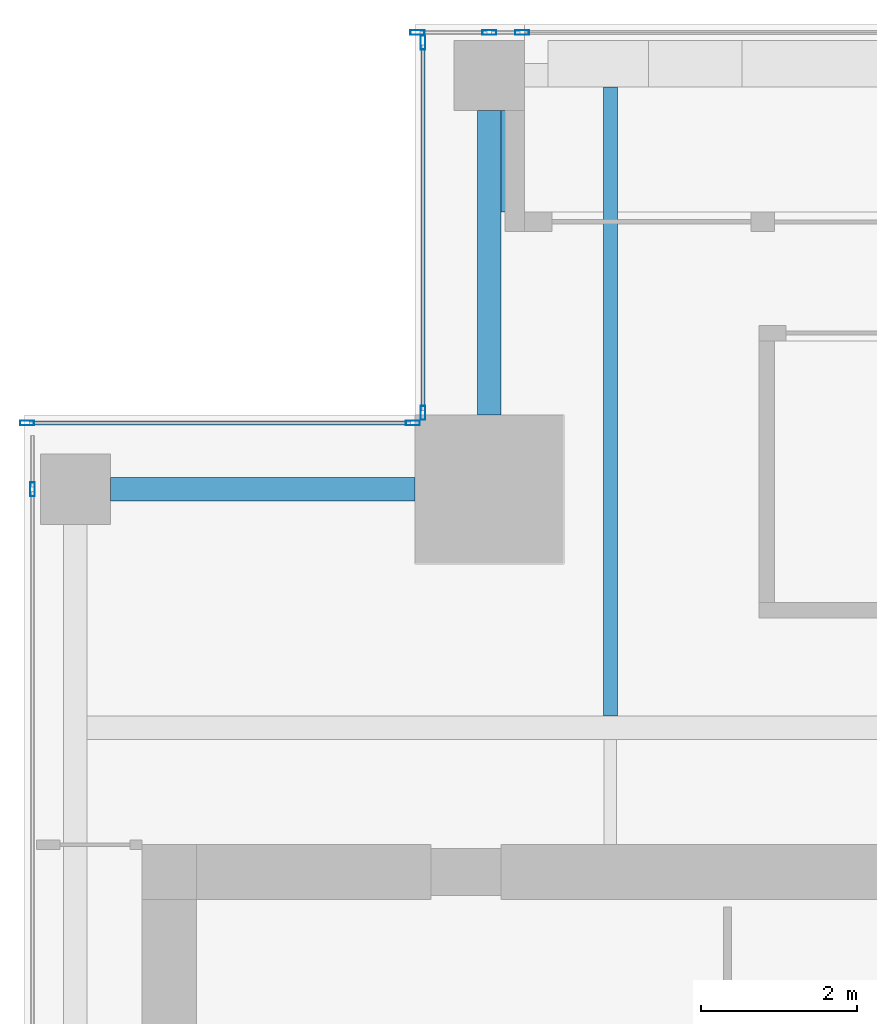
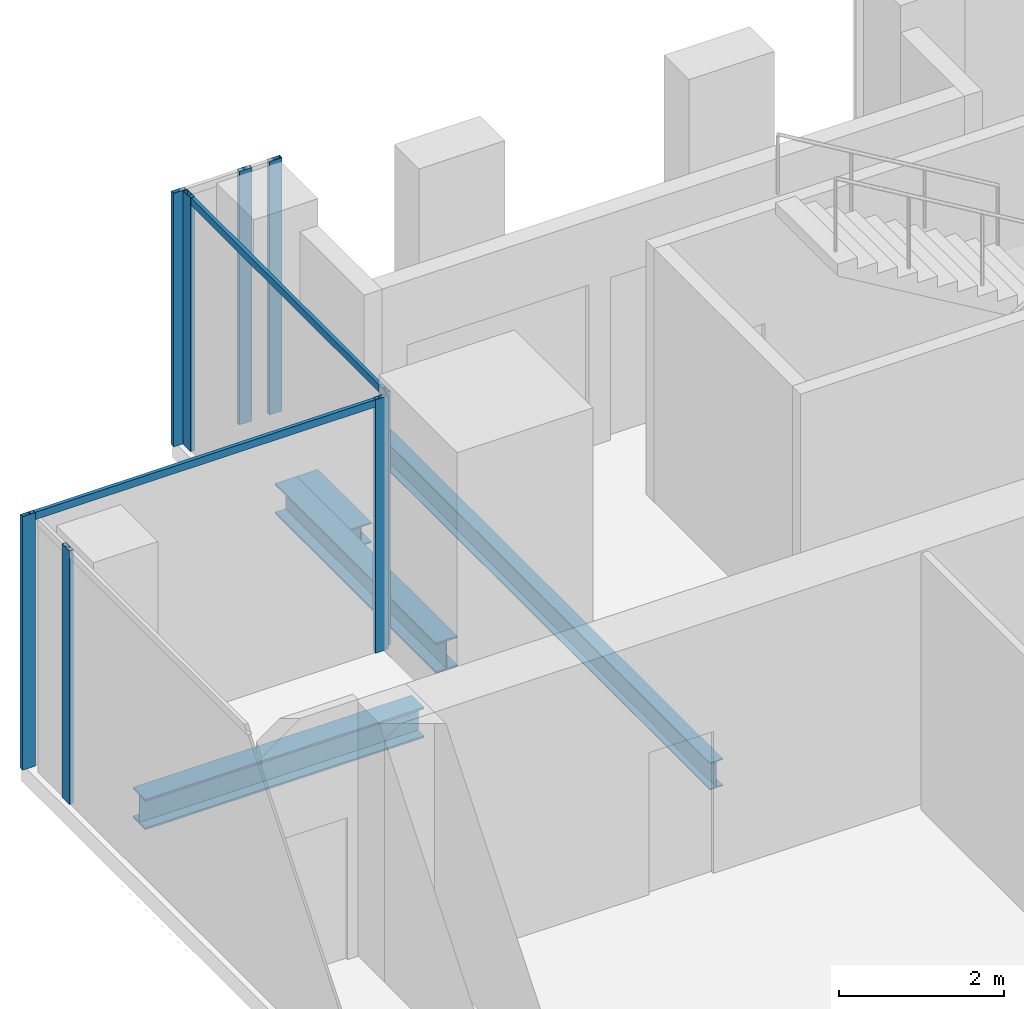
# One storey, part 15 of 34: 10 members, 4 beams, 4 elements without a shape of their own.
"""IFC4 building model written with IfcOpenShell, lengths in metres."""

from ifc_helpers import new_model, si_unit, direction, frame, origin, origin_2d, place, context, subcontext, project, spatial, hollow_rectangle, i_section, extrude, source, transform, mapped, material, material_profile, profile_set, type_object, element, aggregate, save


model = new_model("IFC4")

# Units and contexts
model_context = context("Model", 3, precision=1e-05, world=origin(), true_north=direction((0.0, 1.0)))
body_context = subcontext(model_context, "Body", "Model", "MODEL_VIEW")
ifc_project = project(units=[si_unit("LENGTHUNIT", "METRE"), si_unit("AREAUNIT", "SQUARE_METRE"), si_unit("VOLUMEUNIT", "CUBIC_METRE"), si_unit("PLANEANGLEUNIT", "RADIAN"), si_unit("MASSUNIT", "GRAM", prefix="KILO")], contexts=[model_context])

# Site, building, storey
site_placement = place(None, origin())
site = spatial("IfcSite", under=ifc_project, at=site_placement, CompositionType="ELEMENT")
building_placement = place(site_placement, origin())
building = spatial("IfcBuilding", under=site, at=building_placement, Name="Khomas Fold Tower", CompositionType="ELEMENT")
storey_placement = place(building_placement, frame((0.0, 0.0, 254.199951171875)))
storey = spatial("IfcBuildingStorey", under=building, at=storey_placement, Name="L57", CompositionType="ELEMENT", Elevation=254.199951171875)

# Beams
ifc_material_1 = material(Name="Steel S355", Category="steel")
ifc_material_profile_1 = material_profile(ifc_material_1, i_section(OverallWidth=0.300048828125, OverallDepth=0.449951171875, WebThickness=0.013916015625, FlangeThickness=0.02587890625, at=origin_2d()), Name="HE 450 B")
ifc_profile_set_1 = profile_set([ifc_material_profile_1], Name="Steel S355")
beam_type_1 = type_object("IfcBeamType", Name="HE 450 B spandrel SB4", PredefinedType="SPANDREL", material=ifc_profile_set_1)
shared_shape_1 = source(origin(), body_context, "Body", "SweptSolid", [
    extrude(i_section(OverallWidth=0.300048828125, OverallDepth=0.449951171875, WebThickness=0.013916015625, FlangeThickness=0.02587890625, at=origin_2d()), origin(), (0.0, 0.0, 1.0), 3.89990234375),
])
for number, where, z_axis, x_axis, name in (
    (1, (10.449951171875, 44.5, -0.474853515625), (0.0, 1.0, 0.0), (-1.0, 0.0, 0.0), "SB4"),
    (2, (5.60009765625, 43.550048828125, -0.474853515625), (1.0, 0.0, 0.0), (0.0, 1.0, 0.0), "SB4"),
):
    element("IfcBeam", number, at=place(storey_placement, frame(where, z_axis=z_axis, x_axis=x_axis)), inside=storey, type_object=beam_type_1, Name=name, PredefinedType="SPANDREL", context=body_context, shape_type="MappedRepresentation", body=[
        mapped(shared_shape_1, transform((0.0, 0.0, 0.0))),
    ])
ifc_material_2 = material(Name="Steel S355", Category="steel")
ifc_material_profile_2 = material_profile(ifc_material_2, i_section(OverallWidth=0.179931640625, OverallDepth=0.39990234375, WebThickness=0.008544921875, FlangeThickness=0.013427734375, at=origin_2d()), Name="IPE 400")
ifc_profile_set_2 = profile_set([ifc_material_profile_2], Name="Steel S355")
beam_type_2 = type_object("IfcBeamType", Name="IPE 400 beam JB3", PredefinedType="BEAM", material=ifc_profile_set_2)
shared_shape_2 = source(origin(), body_context, "Body", "SweptSolid", [
    extrude(i_section(OverallWidth=0.179931640625, OverallDepth=0.39990234375, WebThickness=0.008544921875, FlangeThickness=0.013427734375, at=origin_2d()), origin(), (0.0, 0.0, 1.0), 8.050048828125),
])
beam_1_placement = place(storey_placement, frame((12.0, 40.64990234375, -0.449951171875), z_axis=(0.0, 1.0, 0.0), x_axis=(-1.0, 0.0, 0.0)))
element("IfcBeam", 3, at=beam_1_placement, inside=storey, type_object=beam_type_2, Name="JB3", PredefinedType="BEAM", context=body_context, shape_type="MappedRepresentation", body=[
    mapped(shared_shape_2, transform((0.0, 0.0, 0.0))),
])
ifc_material_3 = material(Name="Steel S355", Category="steel")
ifc_material_profile_3 = material_profile(ifc_material_3, i_section(OverallWidth=0.300048828125, OverallDepth=0.300048828125, WebThickness=0.010986328125, FlangeThickness=0.01904296875, at=origin_2d()), Name="HE 300 B")
ifc_profile_set_3 = profile_set([ifc_material_profile_3], Name="Steel S355")
beam_type_3 = type_object("IfcBeamType", Name="HE 300 B beam BB1", PredefinedType="BEAM", material=ifc_profile_set_3)
shared_shape_3 = source(origin(), body_context, "Body", "SweptSolid", [
    extrude(i_section(OverallWidth=0.300048828125, OverallDepth=0.300048828125, WebThickness=0.010986328125, FlangeThickness=0.01904296875, at=origin_2d()), origin(), (0.0, 0.0, 1.0), 1.2998046875),
])
beam_2_placement = place(storey_placement, frame((10.75, 47.10009765625, -0.39990234375), z_axis=(0.0, 1.0, 0.0), x_axis=(-1.0, 0.0, 0.0)))
element("IfcBeam", 4, at=beam_2_placement, inside=storey, type_object=beam_type_3, Name="BB1", PredefinedType="BEAM", context=body_context, shape_type="MappedRepresentation", body=[
    mapped(shared_shape_3, transform((0.0, 0.0, 0.0))),
])

# Curtain wall, members
ifc_material_4 = material(Name="Aluminium framed double glazing", Category="aluminium")
curtain_wall_type = type_object("IfcCurtainWallType", Name="SK-Unitised clear-glass wall, office floors CW2", PredefinedType="NOTDEFINED", material=ifc_material_4)
curtain_wall_1_placement = place(storey_placement, origin())
curtain_wall_1 = element("IfcCurtainWall", 5, at=curtain_wall_1_placement, inside=storey, type_object=curtain_wall_type, Name="CW2 run L57 06-1", PredefinedType="NOTDEFINED")
ifc_material_5 = material(Name="Aluminium", Category="aluminium")
ifc_material_profile_4 = material_profile(ifc_material_5, hollow_rectangle(XDim=0.06005859375, YDim=0.179931640625, WallThickness=0.00390625, at=origin_2d()), Name="SK-Unitised clear-glass wall, office floors mullion CW2-M")
ifc_profile_set_4 = profile_set([ifc_material_profile_4], Name="Aluminium")
member_type_1 = type_object("IfcMemberType", Name="SK-Unitised clear-glass wall, office floors mullion CW2-M", PredefinedType="MULLION", material=ifc_profile_set_4)
shared_shape_4 = source(origin(), body_context, "Body", "SweptSolid", [
    extrude(hollow_rectangle(XDim=0.06005859375, YDim=0.179931640625, WallThickness=0.00390625, at=origin_2d()), origin(), (0.0, 0.0, 1.0), 3.75),
])
member_1_placement = place(storey_placement, frame((10.8701171875, 49.39990234375, 0.0), z_axis=(0.0, 0.0, 1.0), x_axis=(0.0, -1.0, 0.0)))
member_1 = element("IfcMember", 6, at=member_1_placement, type_object=member_type_1, Name="CW2 mullion 1", PredefinedType="MULLION", context=body_context, shape_type="MappedRepresentation", body=[
    mapped(shared_shape_4, transform((0.0, 0.0, 0.0))),
])
member_2_placement = place(storey_placement, frame((10.449951171875, 49.39990234375, 0.0), z_axis=(0.0, 0.0, 1.0), x_axis=(0.0, -1.0, 0.0)))
member_2 = element("IfcMember", 7, at=member_2_placement, type_object=member_type_1, Name="CW2 mullion 2", PredefinedType="MULLION", context=body_context, shape_type="MappedRepresentation", body=[
    mapped(shared_shape_4, transform((0.0, 0.0, 0.0))),
])
member_3_placement = place(storey_placement, frame((9.530029296875, 49.39990234375, 0.0), z_axis=(0.0, 0.0, 1.0), x_axis=(0.0, -1.0, 0.0)))
member_3 = element("IfcMember", 8, at=member_3_placement, type_object=member_type_1, Name="CW2 mullion 3", PredefinedType="MULLION", context=body_context, shape_type="MappedRepresentation", body=[
    mapped(shared_shape_4, transform((0.0, 0.0, 0.0))),
])
aggregate(curtain_wall_1, [member_1, member_2, member_3])

curtain_wall_2_placement = place(storey_placement, origin())
curtain_wall_2 = element("IfcCurtainWall", 9, at=curtain_wall_2_placement, inside=storey, type_object=curtain_wall_type, Name="CW2 corner return L57 07", PredefinedType="NOTDEFINED")
member_4_placement = place(storey_placement, frame((9.60009765625, 49.27001953125, 0.0), z_axis=(0.0, 0.0, 1.0), x_axis=(1.0, 0.0, 0.0)))
member_4 = element("IfcMember", 10, at=member_4_placement, type_object=member_type_1, Name="CW2 mullion 1", PredefinedType="MULLION", context=body_context, shape_type="MappedRepresentation", body=[
    mapped(shared_shape_4, transform((0.0, 0.0, 0.0))),
])
member_5_placement = place(storey_placement, frame((9.60009765625, 44.530029296875, 0.0), z_axis=(0.0, 0.0, 1.0), x_axis=(1.0, 0.0, 0.0)))
member_5 = element("IfcMember", 11, at=member_5_placement, type_object=member_type_1, Name="CW2 mullion 2", PredefinedType="MULLION", context=body_context, shape_type="MappedRepresentation", body=[
    mapped(shared_shape_4, transform((0.0, 0.0, 0.0))),
])

curtain_wall_3_placement = place(storey_placement, origin())
curtain_wall_3 = element("IfcCurtainWall", 12, at=curtain_wall_3_placement, inside=storey, type_object=curtain_wall_type, Name="CW2 corner return L57 08", PredefinedType="NOTDEFINED")
member_6_placement = place(storey_placement, frame((9.469970703125, 44.39990234375, 0.0), z_axis=(0.0, 0.0, 1.0), x_axis=(0.0, -1.0, 0.0)))
member_6 = element("IfcMember", 13, at=member_6_placement, type_object=member_type_1, Name="CW2 mullion 1", PredefinedType="MULLION", context=body_context, shape_type="MappedRepresentation", body=[
    mapped(shared_shape_4, transform((0.0, 0.0, 0.0))),
])
member_7_placement = place(storey_placement, frame((4.530029296875, 44.39990234375, 0.0), z_axis=(0.0, 0.0, 1.0), x_axis=(0.0, -1.0, 0.0)))
member_7 = element("IfcMember", 14, at=member_7_placement, type_object=member_type_1, Name="CW2 mullion 2", PredefinedType="MULLION", context=body_context, shape_type="MappedRepresentation", body=[
    mapped(shared_shape_4, transform((0.0, 0.0, 0.0))),
])

# Curtain wall, member
curtain_wall_4_placement = place(storey_placement, origin())
curtain_wall_4 = element("IfcCurtainWall", 15, at=curtain_wall_4_placement, inside=storey, type_object=curtain_wall_type, Name="CW2 run L57 09-0", PredefinedType="NOTDEFINED")
member_8_placement = place(storey_placement, frame((4.60009765625, 43.550048828125, 0.0), z_axis=(0.0, 0.0, 1.0), x_axis=(1.0, 0.0, 0.0)))
member_8 = element("IfcMember", 16, at=member_8_placement, type_object=member_type_1, Name="CW2 mullion 2", PredefinedType="MULLION", context=body_context, shape_type="MappedRepresentation", body=[
    mapped(shared_shape_4, transform((0.0, 0.0, 0.0))),
])
aggregate(curtain_wall_4, [member_8])

# Member
ifc_material_6 = material(Name="Aluminium", Category="aluminium")
ifc_material_profile_5 = material_profile(ifc_material_6, hollow_rectangle(XDim=0.050048828125, YDim=0.110107421875, WallThickness=0.00390625, at=origin_2d()), Name="SK-Unitised clear-glass wall, office floors transom CW2-T")
ifc_profile_set_5 = profile_set([ifc_material_profile_5], Name="Aluminium")
member_type_2 = type_object("IfcMemberType", Name="SK-Unitised clear-glass wall, office floors transom CW2-T", PredefinedType="USERDEFINED", material=ifc_profile_set_5)
shared_shape_5 = source(origin(), body_context, "Body", "SweptSolid", [
    extrude(hollow_rectangle(XDim=0.050048828125, YDim=0.110107421875, WallThickness=0.00390625, at=origin_2d()), origin(), (0.0, 0.0, 1.0), 4.679931640625),
])
member_9_placement = place(storey_placement, frame((9.60009765625, 49.239990234375, 3.695068359375), z_axis=(0.0, -1.0, 0.0), x_axis=(1.0, 0.0, 0.0)))
member_9 = element("IfcMember", 17, at=member_9_placement, type_object=member_type_2, Name="CW2 transom 1", ObjectType="TRANSOM", PredefinedType="USERDEFINED", context=body_context, shape_type="MappedRepresentation", body=[
    mapped(shared_shape_5, transform((0.0, 0.0, 0.0))),
])

aggregate(curtain_wall_2, [member_4, member_5, member_9])

shared_shape_6 = source(origin(), body_context, "Body", "SweptSolid", [
    extrude(hollow_rectangle(XDim=0.050048828125, YDim=0.110107421875, WallThickness=0.00390625, at=origin_2d()), origin(), (0.0, 0.0, 1.0), 4.8798828125),
])
member_10_placement = place(storey_placement, frame((9.43994140625, 44.39990234375, 3.695068359375), z_axis=(-1.0, 0.0, 0.0), x_axis=(0.0, -1.0, 0.0)))
member_10 = element("IfcMember", 18, at=member_10_placement, type_object=member_type_2, Name="CW2 transom 1", ObjectType="TRANSOM", PredefinedType="USERDEFINED", context=body_context, shape_type="MappedRepresentation", body=[
    mapped(shared_shape_6, transform((0.0, 0.0, 0.0))),
])

aggregate(curtain_wall_3, [member_6, member_7, member_10])

save(model, "model.ifc")
